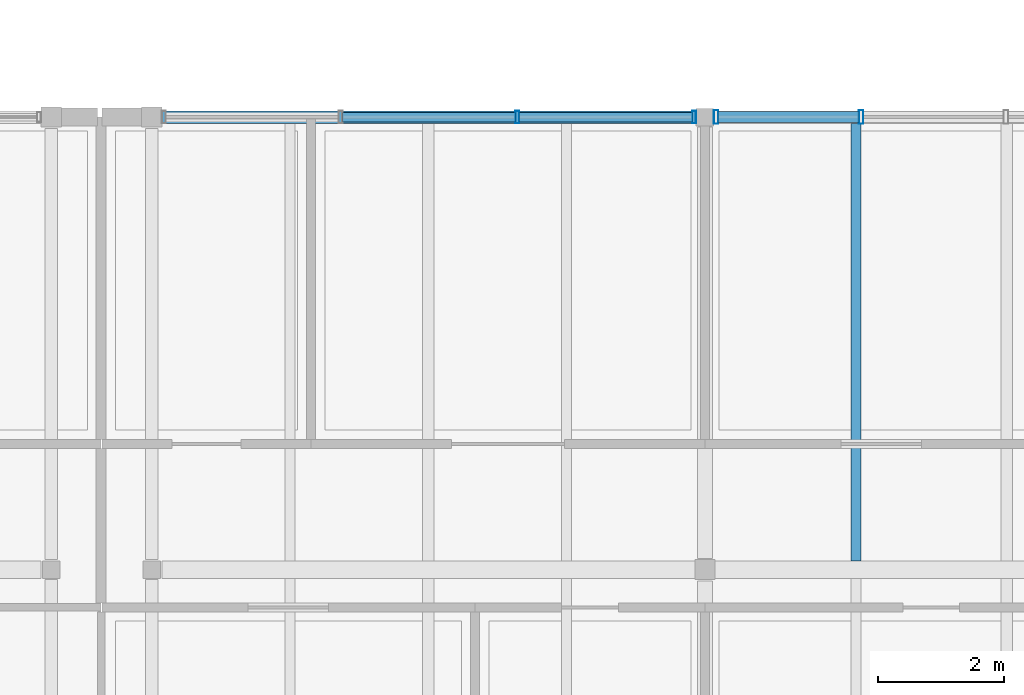
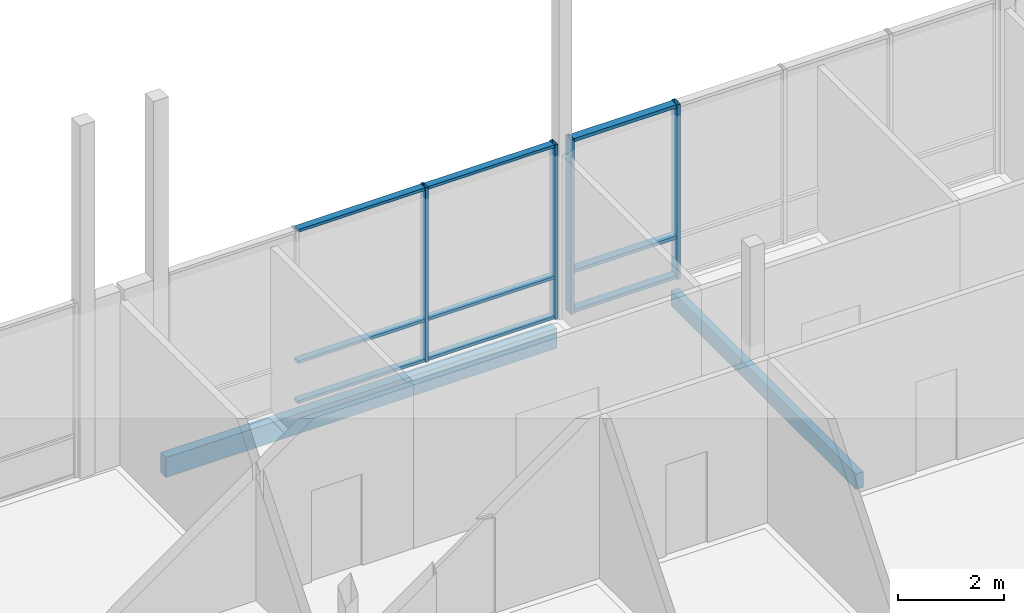
# One storey, part 21 of 57: 13 members, 2 beams, 2 elements without a shape of their own.
"""IFC4 building model written with IfcOpenShell, lengths in metres."""

from ifc_helpers import new_model, si_unit, direction, frame, origin, origin_2d, place, context, subcontext, project, spatial, rectangle, hollow_rectangle, extrude, material, material_profile, profile_set, type_object, element, aggregate, save


model = new_model("IFC4")

# Units and contexts
model_context = context("Model", 3, precision=1e-05, world=origin(), true_north=direction((0.0, 1.0)))
body_context = subcontext(model_context, "Body", "Model", "MODEL_VIEW")
ifc_project = project(units=[si_unit("LENGTHUNIT", "METRE"), si_unit("AREAUNIT", "SQUARE_METRE"), si_unit("VOLUMEUNIT", "CUBIC_METRE"), si_unit("PLANEANGLEUNIT", "RADIAN"), si_unit("MASSUNIT", "GRAM", prefix="KILO")], contexts=[model_context])

# Site, building, storey
site_placement = place(None, origin())
site = spatial("IfcSite", under=ifc_project, at=site_placement, CompositionType="ELEMENT")
building_placement = place(site_placement, origin())
building = spatial("IfcBuilding", under=site, at=building_placement, Name="Hawrajan Terrace Health Centre", CompositionType="ELEMENT")
storey_placement = place(building_placement, frame((0.0, 0.0, 13.199951171875)))
storey = spatial("IfcBuildingStorey", under=building, at=storey_placement, Name="L03", CompositionType="ELEMENT", Elevation=13.199951171875)

# Curtain wall, members
ifc_material_1 = material(Name="Anodized bronze aluminium and low-E solar glazing", Category="aluminium")
curtain_wall_type_1 = type_object("IfcCurtainWallType", Name="CW_Court_SeriesA1", PredefinedType="USERDEFINED", material=ifc_material_1)
curtain_wall_1_placement = place(storey_placement, origin())
curtain_wall_1 = element("IfcCurtainWall", 1, at=curtain_wall_1_placement, inside=storey, type_object=curtain_wall_type_1, Name="Curtain wall CW-L03-169", ObjectType="UNITISED CURTAIN WALL", PredefinedType="USERDEFINED")
ifc_material_2 = material(Name="Anodized bronze aluminium 6063-T6", Category="aluminium")
ifc_material_profile_1 = material_profile(ifc_material_2, hollow_rectangle(XDim=0.06494140625, YDim=0.199951171875, WallThickness=0.00439453125, at=origin_2d()), Name="CW MUL 65x200")
ifc_profile_set_1 = profile_set([ifc_material_profile_1], Name="Anodized bronze aluminium 6063-T6")
member_type_1 = type_object("IfcMemberType", Name="CWMullion_65x200", PredefinedType="MULLION", material=ifc_profile_set_1)
member_1_placement = place(storey_placement, frame((78.415771484375, 18.60009765625, -0.0048828125), z_axis=(0.0, 0.0, 1.0), x_axis=(1.0, 0.0, 0.0)))
member_1 = element("IfcMember", 2, at=member_1_placement, type_object=member_type_1, Name="Mullion CW-L03-169-M3", PredefinedType="MULLION", context=body_context, shape_type="SweptSolid", body=[
    extrude(hollow_rectangle(XDim=0.06494140625, YDim=0.199951171875, WallThickness=0.00439453125, at=origin_2d()), origin(), (0.0, 0.0, 1.0), 4.010009765625),
])
member_2_placement = place(storey_placement, frame((81.2275390625, 18.60009765625, -0.0048828125), z_axis=(0.0, 0.0, 1.0), x_axis=(1.0, 0.0, 0.0)))
member_2 = element("IfcMember", 3, at=member_2_placement, type_object=member_type_1, Name="Mullion CW-L03-169-M4", PredefinedType="MULLION", context=body_context, shape_type="SweptSolid", body=[
    extrude(hollow_rectangle(XDim=0.06494140625, YDim=0.199951171875, WallThickness=0.00439453125, at=origin_2d()), origin(), (0.0, 0.0, 1.0), 4.010009765625),
])

curtain_wall_type_2 = type_object("IfcCurtainWallType", Name="CW_Court_SeriesA2", PredefinedType="USERDEFINED", material=ifc_material_1)
curtain_wall_2_placement = place(storey_placement, origin())
curtain_wall_2 = element("IfcCurtainWall", 4, at=curtain_wall_2_placement, inside=storey, type_object=curtain_wall_type_2, Name="Curtain wall CW-L03-170", ObjectType="UNITISED CURTAIN WALL", PredefinedType="USERDEFINED")
ifc_material_profile_2 = material_profile(ifc_material_2, hollow_rectangle(XDim=0.074951171875, YDim=0.219970703125, WallThickness=0.0048828125, at=origin_2d()), Name="CW MUL 75x220")
ifc_profile_set_2 = profile_set([ifc_material_profile_2], Name="Anodized bronze aluminium 6063-T6")
member_type_2 = type_object("IfcMemberType", Name="CWMullion_75x220", PredefinedType="MULLION", material=ifc_profile_set_2)
member_3_placement = place(storey_placement, frame((81.577392578125, 18.60009765625, -0.0048828125), z_axis=(0.0, 0.0, 1.0), x_axis=(1.0, 0.0, 0.0)))
member_3 = element("IfcMember", 5, at=member_3_placement, type_object=member_type_2, Name="Mullion CW-L03-170-M1", PredefinedType="MULLION", context=body_context, shape_type="SweptSolid", body=[
    extrude(hollow_rectangle(XDim=0.074951171875, YDim=0.219970703125, WallThickness=0.0048828125, at=origin_2d()), origin(), (0.0, 0.0, 1.0), 4.010009765625),
])
member_4_placement = place(storey_placement, frame((83.8837890625, 18.60009765625, -0.0048828125), z_axis=(0.0, 0.0, 1.0), x_axis=(1.0, 0.0, 0.0)))
member_4 = element("IfcMember", 6, at=member_4_placement, type_object=member_type_2, Name="Mullion CW-L03-170-M2", PredefinedType="MULLION", context=body_context, shape_type="SweptSolid", body=[
    extrude(hollow_rectangle(XDim=0.074951171875, YDim=0.219970703125, WallThickness=0.0048828125, at=origin_2d()), origin(), (0.0, 0.0, 1.0), 4.010009765625),
])

# Member
ifc_material_profile_3 = material_profile(ifc_material_2, hollow_rectangle(XDim=0.06494140625, YDim=0.14990234375, WallThickness=0.00390625, at=origin_2d()), Name="CW TRN 65x150")
ifc_profile_set_3 = profile_set([ifc_material_profile_3], Name="Anodized bronze aluminium 6063-T6")
member_type_3 = type_object("IfcMemberType", Name="CWTransom_65x150", PredefinedType="USERDEFINED", material=ifc_profile_set_3)
member_5_placement = place(storey_placement, frame((75.630615234375, 18.60009765625, 0.032470703125), z_axis=(1.0, 0.0, 0.0), x_axis=(0.0, 0.0, 1.0)))
member_5 = element("IfcMember", 7, at=member_5_placement, type_object=member_type_3, Name="Transom CW-L03-169-T2-1", ObjectType="TRANSOM", PredefinedType="USERDEFINED", context=body_context, shape_type="SweptSolid", body=[
    extrude(hollow_rectangle(XDim=0.06494140625, YDim=0.14990234375, WallThickness=0.00390625, at=origin_2d()), origin(), (0.0, 0.0, 1.0), 2.7587890625),
])

member_6_placement = place(storey_placement, frame((75.630615234375, 18.60009765625, 0.949951171875), z_axis=(1.0, 0.0, 0.0), x_axis=(0.0, 0.0, 1.0)))
member_6 = element("IfcMember", 8, at=member_6_placement, type_object=member_type_3, Name="Transom CW-L03-169-T2-2", ObjectType="TRANSOM", PredefinedType="USERDEFINED", context=body_context, shape_type="SweptSolid", body=[
    extrude(hollow_rectangle(XDim=0.06494140625, YDim=0.14990234375, WallThickness=0.00390625, at=origin_2d()), origin(), (0.0, 0.0, 1.0), 2.7587890625),
])

member_7_placement = place(storey_placement, frame((75.630615234375, 18.60009765625, 3.967529296875), z_axis=(1.0, 0.0, 0.0), x_axis=(0.0, 0.0, 1.0)))
member_7 = element("IfcMember", 9, at=member_7_placement, type_object=member_type_3, Name="Transom CW-L03-169-T2-3", ObjectType="TRANSOM", PredefinedType="USERDEFINED", context=body_context, shape_type="SweptSolid", body=[
    extrude(hollow_rectangle(XDim=0.06494140625, YDim=0.14990234375, WallThickness=0.00390625, at=origin_2d()), origin(), (0.0, 0.0, 1.0), 2.7587890625),
])

member_8_placement = place(storey_placement, frame((78.4423828125, 18.60009765625, 0.032470703125), z_axis=(1.0, 0.0, 0.0), x_axis=(0.0, 0.0, 1.0)))
member_8 = element("IfcMember", 10, at=member_8_placement, type_object=member_type_3, Name="Transom CW-L03-169-T3-1", ObjectType="TRANSOM", PredefinedType="USERDEFINED", context=body_context, shape_type="SweptSolid", body=[
    extrude(hollow_rectangle(XDim=0.06494140625, YDim=0.14990234375, WallThickness=0.00390625, at=origin_2d()), origin(), (0.0, 0.0, 1.0), 2.758544921875),
])

member_9_placement = place(storey_placement, frame((78.4423828125, 18.60009765625, 0.949951171875), z_axis=(1.0, 0.0, 0.0), x_axis=(0.0, 0.0, 1.0)))
member_9 = element("IfcMember", 11, at=member_9_placement, type_object=member_type_3, Name="Transom CW-L03-169-T3-2", ObjectType="TRANSOM", PredefinedType="USERDEFINED", context=body_context, shape_type="SweptSolid", body=[
    extrude(hollow_rectangle(XDim=0.06494140625, YDim=0.14990234375, WallThickness=0.00390625, at=origin_2d()), origin(), (0.0, 0.0, 1.0), 2.758544921875),
])

member_10_placement = place(storey_placement, frame((78.4423828125, 18.60009765625, 3.967529296875), z_axis=(1.0, 0.0, 0.0), x_axis=(0.0, 0.0, 1.0)))
member_10 = element("IfcMember", 12, at=member_10_placement, type_object=member_type_3, Name="Transom CW-L03-169-T3-3", ObjectType="TRANSOM", PredefinedType="USERDEFINED", context=body_context, shape_type="SweptSolid", body=[
    extrude(hollow_rectangle(XDim=0.06494140625, YDim=0.14990234375, WallThickness=0.00390625, at=origin_2d()), origin(), (0.0, 0.0, 1.0), 2.758544921875),
])

aggregate(curtain_wall_1, [member_1, member_2, member_5, member_6, member_7, member_8, member_9, member_10])

ifc_material_profile_4 = material_profile(ifc_material_2, hollow_rectangle(XDim=0.074951171875, YDim=0.169921875, WallThickness=0.00439453125, at=origin_2d()), Name="CW TRN 75x170")
ifc_profile_set_4 = profile_set([ifc_material_profile_4], Name="Anodized bronze aluminium 6063-T6")
member_type_4 = type_object("IfcMemberType", Name="CWTransom_75x170", PredefinedType="USERDEFINED", material=ifc_profile_set_4)
member_11_placement = place(storey_placement, frame((81.60888671875, 18.60009765625, 0.03759765625), z_axis=(1.0, 0.0, 0.0), x_axis=(0.0, 0.0, 1.0)))
member_11 = element("IfcMember", 13, at=member_11_placement, type_object=member_type_4, Name="Transom CW-L03-170-T1-1", ObjectType="TRANSOM", PredefinedType="USERDEFINED", context=body_context, shape_type="SweptSolid", body=[
    extrude(hollow_rectangle(XDim=0.074951171875, YDim=0.169921875, WallThickness=0.00439453125, at=origin_2d()), origin(), (0.0, 0.0, 1.0), 2.243408203125),
])

member_12_placement = place(storey_placement, frame((81.60888671875, 18.60009765625, 0.949951171875), z_axis=(1.0, 0.0, 0.0), x_axis=(0.0, 0.0, 1.0)))
member_12 = element("IfcMember", 14, at=member_12_placement, type_object=member_type_4, Name="Transom CW-L03-170-T1-2", ObjectType="TRANSOM", PredefinedType="USERDEFINED", context=body_context, shape_type="SweptSolid", body=[
    extrude(hollow_rectangle(XDim=0.074951171875, YDim=0.169921875, WallThickness=0.00439453125, at=origin_2d()), origin(), (0.0, 0.0, 1.0), 2.243408203125),
])

member_13_placement = place(storey_placement, frame((81.60888671875, 18.60009765625, 3.962646484375), z_axis=(1.0, 0.0, 0.0), x_axis=(0.0, 0.0, 1.0)))
member_13 = element("IfcMember", 15, at=member_13_placement, type_object=member_type_4, Name="Transom CW-L03-170-T1-3", ObjectType="TRANSOM", PredefinedType="USERDEFINED", context=body_context, shape_type="SweptSolid", body=[
    extrude(hollow_rectangle(XDim=0.074951171875, YDim=0.169921875, WallThickness=0.00439453125, at=origin_2d()), origin(), (0.0, 0.0, 1.0), 2.243408203125),
])

aggregate(curtain_wall_2, [member_3, member_4, member_11, member_12, member_13])

# Beams
ifc_material_3 = material(Name="Glulam GL28h", Category="wood")
ifc_material_profile_5 = material_profile(ifc_material_3, rectangle(XDim=0.159912109375, YDim=0.360107421875, at=origin_2d()), Name="GL JST 160x360")
ifc_profile_set_5 = profile_set([ifc_material_profile_5], Name="Glulam GL28h")
beam_type_1 = type_object("IfcBeamType", Name="GlulamJoist_160x360", PredefinedType="JOIST", material=ifc_profile_set_5)
beam_1_placement = place(storey_placement, frame((83.800048828125, 11.5400390625, -0.389892578125), z_axis=(0.0, 1.0, 0.0), x_axis=(-1.0, 0.0, 0.0)))
element("IfcBeam", 16, at=beam_1_placement, inside=storey, type_object=beam_type_1, Name="Secondary joist JST-L03-C-11-2-1", PredefinedType="JOIST", context=body_context, shape_type="SweptSolid", body=[
    extrude(rectangle(XDim=0.159912109375, YDim=0.360107421875, at=origin_2d()), origin(), (0.0, 0.0, 1.0), 6.9599609375),
])
ifc_material_4 = material(Name="Glulam GL32h", Category="wood")
ifc_material_profile_6 = material_profile(ifc_material_4, rectangle(XDim=0.199951171875, YDim=0.4599609375, at=origin_2d()), Name="GL SP 200x460")
ifc_profile_set_6 = profile_set([ifc_material_profile_6], Name="Glulam GL32h")
beam_type_2 = type_object("IfcBeamType", Name="GlulamSpandrel_200x460", PredefinedType="SPANDREL", material=ifc_profile_set_6)
beam_2_placement = place(storey_placement, frame((72.739990234375, 18.60009765625, -0.43994140625), z_axis=(1.0, 0.0, 0.0), x_axis=(0.0, 1.0, 0.0)))
element("IfcBeam", 17, at=beam_2_placement, inside=storey, type_object=beam_type_2, Name="Beam BM-X-L03-C-10-Y3", PredefinedType="SPANDREL", context=body_context, shape_type="SweptSolid", body=[
    extrude(rectangle(XDim=0.199951171875, YDim=0.4599609375, at=origin_2d()), origin(), (0.0, 0.0, 1.0), 8.5),
])

save(model, "model.ifc")
